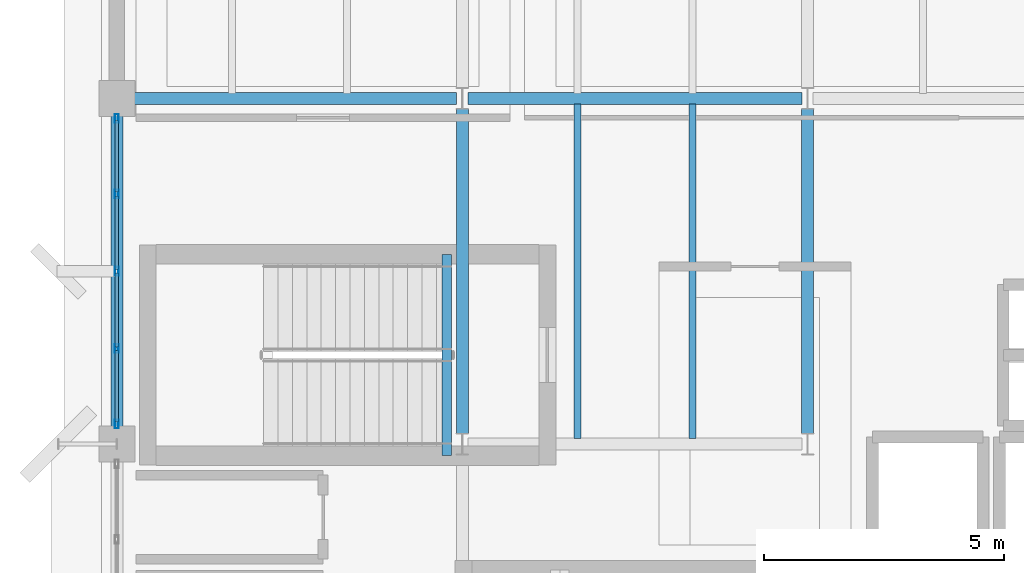
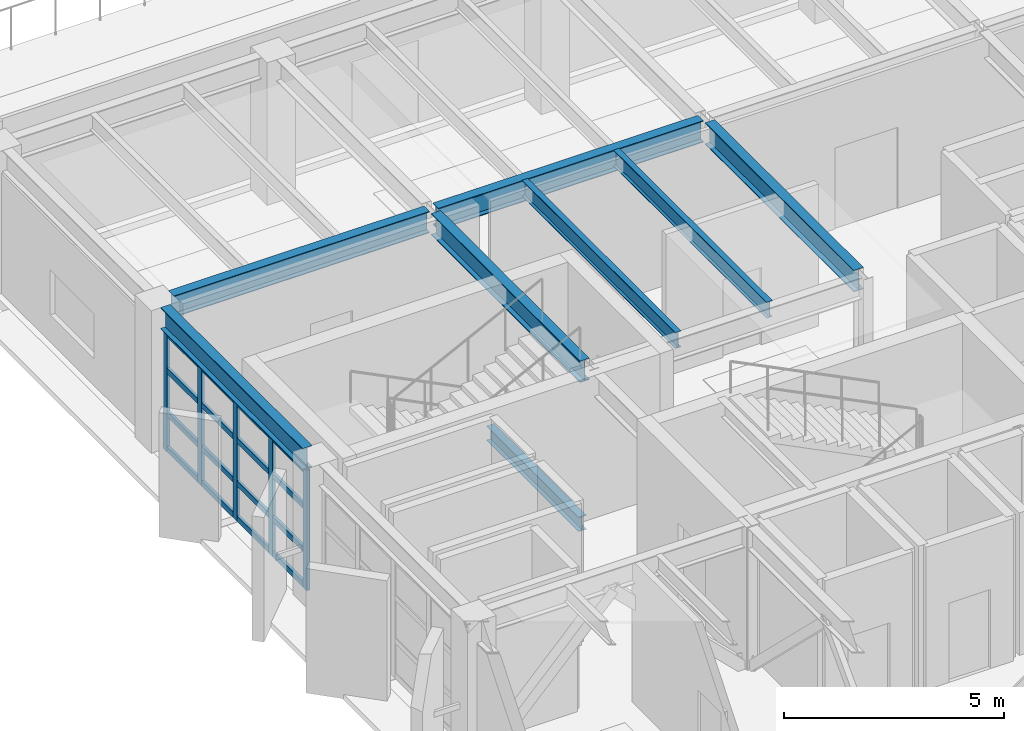
# One storey, part 10 of 37: 21 members, 8 beams, 1 element without a shape of its own.
"""IFC4 building model written with IfcOpenShell, lengths in metres."""

from ifc_helpers import new_model, si_unit, direction, frame, origin, origin_2d, place, context, subcontext, project, spatial, hollow_rectangle, i_section, extrude, material, layer, layer_set, material_profile, profile_set, type_object, element, aggregate, save


model = new_model("IFC4")

# Units and contexts
model_context = context("Model", 3, precision=1e-05, world=origin(), true_north=direction((0.0, 1.0)))
body_context = subcontext(model_context, "Body", "Model", "MODEL_VIEW")
ifc_project = project(units=[si_unit("LENGTHUNIT", "METRE"), si_unit("AREAUNIT", "SQUARE_METRE"), si_unit("VOLUMEUNIT", "CUBIC_METRE"), si_unit("PLANEANGLEUNIT", "RADIAN"), si_unit("MASSUNIT", "GRAM", prefix="KILO")], contexts=[model_context])

# Site, building, storey
site_placement = place(None, origin())
site = spatial("IfcSite", under=ifc_project, at=site_placement, CompositionType="ELEMENT")
building_placement = place(site_placement, origin())
building = spatial("IfcBuilding", under=site, at=building_placement, Name="Kandorven Conservatory and Botanical Research Centre", CompositionType="ELEMENT")
storey_placement = place(building_placement, frame((0.0, 0.0, 9.0)))
storey = spatial("IfcBuildingStorey", under=building, at=storey_placement, Name="L02", CompositionType="ELEMENT", Elevation=9.0)

# Beams
ifc_material_1 = material(Name="Steel S355 (IS 2062 E350)", Category="steel")
ifc_material_profile_1 = material_profile(ifc_material_1, i_section(OverallWidth=0.25, OverallDepth=0.60009765625, WebThickness=0.01171875, FlangeThickness=0.023681640625, at=origin_2d()))
ifc_profile_set_1 = profile_set([ifc_material_profile_1], Name="Steel S355 (IS 2062 E350)")
beam_type_1 = type_object("IfcBeamType", Name="Beam_FG-01", PredefinedType="USERDEFINED", material=ifc_profile_set_1)
beam_1_placement = place(storey_placement, frame((6.364990234375, 27.60009765625, 3.659912109375), z_axis=(1.0, 0.0, 0.0), x_axis=(0.0, 1.0, 0.0)))
element("IfcBeam", 1, at=beam_1_placement, inside=storey, type_object=beam_type_1, Name="Primary girder FG-01 TWR L02", ObjectType="GIRDER", PredefinedType="USERDEFINED", context=body_context, shape_type="SweptSolid", body=[
    extrude(i_section(OverallWidth=0.25, OverallDepth=0.60009765625, WebThickness=0.01171875, FlangeThickness=0.023681640625, at=origin_2d()), origin(), (0.0, 0.0, 1.0), 6.719970703125),
])
beam_2_placement = place(storey_placement, frame((13.31494140625, 27.60009765625, 3.659912109375), z_axis=(1.0, 0.0, 0.0), x_axis=(0.0, 1.0, 0.0)))
element("IfcBeam", 2, at=beam_2_placement, inside=storey, type_object=beam_type_1, Name="Primary girder FG-01 TWR L02", ObjectType="GIRDER", PredefinedType="USERDEFINED", context=body_context, shape_type="SweptSolid", body=[
    extrude(i_section(OverallWidth=0.25, OverallDepth=0.60009765625, WebThickness=0.01171875, FlangeThickness=0.023681640625, at=origin_2d()), origin(), (0.0, 0.0, 1.0), 6.969970703125),
])
beam_3_placement = place(storey_placement, frame((6.0, 20.764892578125, 3.659912109375), z_axis=(0.0, 1.0, 0.0), x_axis=(-1.0, 0.0, 0.0)))
element("IfcBeam", 3, at=beam_3_placement, inside=storey, type_object=beam_type_1, Name="Primary girder FG-01 TWR L02", ObjectType="GIRDER", PredefinedType="USERDEFINED", context=body_context, shape_type="SweptSolid", body=[
    extrude(i_section(OverallWidth=0.25, OverallDepth=0.60009765625, WebThickness=0.01171875, FlangeThickness=0.023681640625, at=origin_2d()), origin(), (0.0, 0.0, 1.0), 6.47021484375),
])
for number, where, z_axis, x_axis, name in (
    (4, (13.199951171875, 20.614990234375, 3.659912109375), (0.0, 1.0, 0.0), (-1.0, 0.0, 0.0), "Primary girder FG-01 TWR L02"),
    (5, (20.39990234375, 20.614990234375, 3.659912109375), (0.0, 1.0, 0.0), (-1.0, 0.0, 0.0), "Primary girder FG-01 TWR L02"),
):
    element("IfcBeam", number, at=place(storey_placement, frame(where, z_axis=z_axis, x_axis=x_axis)), inside=storey, type_object=beam_type_1, Name=name, ObjectType="GIRDER", PredefinedType="USERDEFINED", context=body_context, shape_type="SweptSolid", body=[
        extrude(i_section(OverallWidth=0.25, OverallDepth=0.60009765625, WebThickness=0.01171875, FlangeThickness=0.023681640625, at=origin_2d()), origin(), (0.0, 0.0, 1.0), 6.77001953125),
    ])
ifc_material_2 = material(Name="Steel S355 (IS 2062 E350)", Category="steel")
ifc_material_profile_2 = material_profile(ifc_material_2, i_section(OverallWidth=0.199951171875, OverallDepth=0.39990234375, WebThickness=0.008544921875, FlangeThickness=0.012939453125, at=origin_2d()))
ifc_profile_set_2 = profile_set([ifc_material_profile_2], Name="Steel S355 (IS 2062 E350)")
beam_type_2 = type_object("IfcBeamType", Name="Beam_FG-03", PredefinedType="USERDEFINED", material=ifc_profile_set_2)
beam_4_placement = place(storey_placement, frame((12.8798828125, 24.35009765625, -0.199951171875), z_axis=(0.0, -1.0, 0.0), x_axis=(1.0, 0.0, 0.0)))
element("IfcBeam", 6, at=beam_4_placement, inside=storey, type_object=beam_type_2, Name="Stair well bottom trimmer girder FG-03 ST-T2 L02", ObjectType="GIRDER", PredefinedType="USERDEFINED", context=body_context, shape_type="SweptSolid", body=[
    extrude(i_section(OverallWidth=0.199951171875, OverallDepth=0.39990234375, WebThickness=0.008544921875, FlangeThickness=0.012939453125, at=origin_2d()), origin(), (0.0, 0.0, 1.0), 4.190185546875),
])
ifc_material_3 = material(Name="Steel S355 (IS 2062 E350)", Category="steel")
ifc_material_profile_3 = material_profile(ifc_material_3, i_section(OverallWidth=0.14990234375, OverallDepth=0.449951171875, WebThickness=0.009521484375, FlangeThickness=0.017333984375, at=origin_2d()))
ifc_profile_set_3 = profile_set([ifc_material_profile_3], Name="Steel S355 (IS 2062 E350)")
beam_type_3 = type_object("IfcBeamType", Name="Beam_SB-04", PredefinedType="BEAM", material=ifc_profile_set_3)
for number, where, z_axis, x_axis, name in (
    (7, (15.60009765625, 20.510009765625, 3.735107421875), (0.0, 1.0, 0.0), (-1.0, 0.0, 0.0), "Composite secondary beam SB-04 TWR L02"),
    (8, (18.0, 20.510009765625, 3.735107421875), (0.0, 1.0, 0.0), (-1.0, 0.0, 0.0), "Composite secondary beam SB-04 TWR L02"),
):
    element("IfcBeam", number, at=place(storey_placement, frame(where, z_axis=z_axis, x_axis=x_axis)), inside=storey, type_object=beam_type_3, Name=name, PredefinedType="BEAM", context=body_context, shape_type="SweptSolid", body=[
        extrude(i_section(OverallWidth=0.14990234375, OverallDepth=0.449951171875, WebThickness=0.009521484375, FlangeThickness=0.017333984375, at=origin_2d()), origin(), (0.0, 0.0, 1.0), 6.97998046875),
    ])

# Curtain wall, members
ifc_material_4 = material(Name="Bronze anodised thermally broken aluminium", Category="aluminium")
ifc_layer = layer(ifc_material_4, 0.179931640625)
ifc_layer_set = layer_set([ifc_layer], Name="Bronze anodised thermally broken aluminium")
curtain_wall_type = type_object("IfcCurtainWallType", Name="CW_Unitised", PredefinedType="USERDEFINED", material=ifc_layer_set)
curtain_wall_placement = place(storey_placement, origin())
curtain_wall = element("IfcCurtainWall", 9, at=curtain_wall_placement, inside=storey, type_object=curtain_wall_type, Name="Tower laboratory curtain wall CW-TWR-W-L02-3", ObjectType="UNITISED GLAZING", PredefinedType="USERDEFINED")
ifc_material_5 = material(Name="Bronze anodised thermally broken aluminium", Category="aluminium")
ifc_material_profile_4 = material_profile(ifc_material_5, hollow_rectangle(XDim=0.080078125, YDim=0.179931640625, WallThickness=0.006103515625, at=origin_2d()))
ifc_profile_set_4 = profile_set([ifc_material_profile_4], Name="Bronze anodised thermally broken aluminium")
member_type_1 = type_object("IfcMemberType", Name="CW_Mullion", PredefinedType="MULLION", material=ifc_profile_set_4)
member_1_placement = place(storey_placement, frame((6.0, 20.81494140625, 0.0), z_axis=(0.0, 0.0, 1.0), x_axis=(-1.0, 0.0, 0.0)))
member_1 = element("IfcMember", 10, at=member_1_placement, type_object=member_type_1, Name="CW-01 mullion 1", PredefinedType="MULLION", context=body_context, shape_type="SweptSolid", body=[
    extrude(hollow_rectangle(XDim=0.080078125, YDim=0.179931640625, WallThickness=0.006103515625, at=origin_2d()), origin(), (0.0, 0.0, 1.0), 3.340087890625),
])
member_2_placement = place(storey_placement, frame((6.0, 22.387451171875, 0.0), z_axis=(0.0, 0.0, 1.0), x_axis=(-1.0, 0.0, 0.0)))
member_2 = element("IfcMember", 11, at=member_2_placement, type_object=member_type_1, Name="CW-01 mullion 2", PredefinedType="MULLION", context=body_context, shape_type="SweptSolid", body=[
    extrude(hollow_rectangle(XDim=0.080078125, YDim=0.179931640625, WallThickness=0.006103515625, at=origin_2d()), origin(), (0.0, 0.0, 1.0), 3.340087890625),
])
member_3_placement = place(storey_placement, frame((6.0, 24.0, 0.0), z_axis=(0.0, 0.0, 1.0), x_axis=(-1.0, 0.0, 0.0)))
member_3 = element("IfcMember", 12, at=member_3_placement, type_object=member_type_1, Name="CW-01 mullion 3", PredefinedType="MULLION", context=body_context, shape_type="SweptSolid", body=[
    extrude(hollow_rectangle(XDim=0.080078125, YDim=0.179931640625, WallThickness=0.006103515625, at=origin_2d()), origin(), (0.0, 0.0, 1.0), 3.340087890625),
])
member_4_placement = place(storey_placement, frame((6.0, 25.612548828125, 0.0), z_axis=(0.0, 0.0, 1.0), x_axis=(-1.0, 0.0, 0.0)))
member_4 = element("IfcMember", 13, at=member_4_placement, type_object=member_type_1, Name="CW-01 mullion 4", PredefinedType="MULLION", context=body_context, shape_type="SweptSolid", body=[
    extrude(hollow_rectangle(XDim=0.080078125, YDim=0.179931640625, WallThickness=0.006103515625, at=origin_2d()), origin(), (0.0, 0.0, 1.0), 3.340087890625),
])
member_5_placement = place(storey_placement, frame((6.0, 27.18505859375, 0.0), z_axis=(0.0, 0.0, 1.0), x_axis=(-1.0, 0.0, 0.0)))
member_5 = element("IfcMember", 14, at=member_5_placement, type_object=member_type_1, Name="CW-01 mullion 5", PredefinedType="MULLION", context=body_context, shape_type="SweptSolid", body=[
    extrude(hollow_rectangle(XDim=0.080078125, YDim=0.179931640625, WallThickness=0.006103515625, at=origin_2d()), origin(), (0.0, 0.0, 1.0), 3.340087890625),
])
ifc_material_6 = material(Name="Bronze anodised thermally broken aluminium", Category="aluminium")
ifc_material_profile_5 = material_profile(ifc_material_6, hollow_rectangle(XDim=0.074951171875, YDim=0.14990234375, WallThickness=0.006103515625, at=origin_2d()))
ifc_profile_set_5 = profile_set([ifc_material_profile_5], Name="Bronze anodised thermally broken aluminium")
member_type_2 = type_object("IfcMemberType", Name="CW_Transom", PredefinedType="USERDEFINED", material=ifc_profile_set_5)
member_6_placement = place(storey_placement, frame((6.0, 20.85498046875, 0.074951171875), z_axis=(0.0, 1.0, 0.0), x_axis=(-1.0, 0.0, 0.0)))
member_6 = element("IfcMember", 15, at=member_6_placement, type_object=member_type_2, Name="CW-01 transom 1.1", ObjectType="TRANSOM", PredefinedType="USERDEFINED", context=body_context, shape_type="SweptSolid", body=[
    extrude(hollow_rectangle(XDim=0.074951171875, YDim=0.14990234375, WallThickness=0.006103515625, at=origin_2d()), origin(), (0.0, 0.0, 1.0), 1.492431640625),
])
member_7_placement = place(storey_placement, frame((6.0, 20.85498046875, 1.050048828125), z_axis=(0.0, 1.0, 0.0), x_axis=(-1.0, 0.0, 0.0)))
member_7 = element("IfcMember", 16, at=member_7_placement, type_object=member_type_2, Name="CW-01 transom 1.2", ObjectType="TRANSOM", PredefinedType="USERDEFINED", context=body_context, shape_type="SweptSolid", body=[
    extrude(hollow_rectangle(XDim=0.074951171875, YDim=0.14990234375, WallThickness=0.006103515625, at=origin_2d()), origin(), (0.0, 0.0, 1.0), 1.492431640625),
])
member_8_placement = place(storey_placement, frame((6.0, 20.85498046875, 2.25), z_axis=(0.0, 1.0, 0.0), x_axis=(-1.0, 0.0, 0.0)))
member_8 = element("IfcMember", 17, at=member_8_placement, type_object=member_type_2, Name="CW-01 transom 1.3", ObjectType="TRANSOM", PredefinedType="USERDEFINED", context=body_context, shape_type="SweptSolid", body=[
    extrude(hollow_rectangle(XDim=0.074951171875, YDim=0.14990234375, WallThickness=0.006103515625, at=origin_2d()), origin(), (0.0, 0.0, 1.0), 1.492431640625),
])
member_9_placement = place(storey_placement, frame((6.0, 20.85498046875, 3.264892578125), z_axis=(0.0, 1.0, 0.0), x_axis=(-1.0, 0.0, 0.0)))
member_9 = element("IfcMember", 18, at=member_9_placement, type_object=member_type_2, Name="CW-01 transom 1.4", ObjectType="TRANSOM", PredefinedType="USERDEFINED", context=body_context, shape_type="SweptSolid", body=[
    extrude(hollow_rectangle(XDim=0.074951171875, YDim=0.14990234375, WallThickness=0.006103515625, at=origin_2d()), origin(), (0.0, 0.0, 1.0), 1.492431640625),
])
member_10_placement = place(storey_placement, frame((6.0, 22.427490234375, 0.074951171875), z_axis=(0.0, 1.0, 0.0), x_axis=(-1.0, 0.0, 0.0)))
member_10 = element("IfcMember", 19, at=member_10_placement, type_object=member_type_2, Name="CW-01 transom 2.1", ObjectType="TRANSOM", PredefinedType="USERDEFINED", context=body_context, shape_type="SweptSolid", body=[
    extrude(hollow_rectangle(XDim=0.074951171875, YDim=0.14990234375, WallThickness=0.006103515625, at=origin_2d()), origin(), (0.0, 0.0, 1.0), 1.532470703125),
])
member_11_placement = place(storey_placement, frame((6.0, 22.427490234375, 1.050048828125), z_axis=(0.0, 1.0, 0.0), x_axis=(-1.0, 0.0, 0.0)))
member_11 = element("IfcMember", 20, at=member_11_placement, type_object=member_type_2, Name="CW-01 transom 2.2", ObjectType="TRANSOM", PredefinedType="USERDEFINED", context=body_context, shape_type="SweptSolid", body=[
    extrude(hollow_rectangle(XDim=0.074951171875, YDim=0.14990234375, WallThickness=0.006103515625, at=origin_2d()), origin(), (0.0, 0.0, 1.0), 1.532470703125),
])
member_12_placement = place(storey_placement, frame((6.0, 22.427490234375, 2.25), z_axis=(0.0, 1.0, 0.0), x_axis=(-1.0, 0.0, 0.0)))
member_12 = element("IfcMember", 21, at=member_12_placement, type_object=member_type_2, Name="CW-01 transom 2.3", ObjectType="TRANSOM", PredefinedType="USERDEFINED", context=body_context, shape_type="SweptSolid", body=[
    extrude(hollow_rectangle(XDim=0.074951171875, YDim=0.14990234375, WallThickness=0.006103515625, at=origin_2d()), origin(), (0.0, 0.0, 1.0), 1.532470703125),
])
member_13_placement = place(storey_placement, frame((6.0, 22.427490234375, 3.264892578125), z_axis=(0.0, 1.0, 0.0), x_axis=(-1.0, 0.0, 0.0)))
member_13 = element("IfcMember", 22, at=member_13_placement, type_object=member_type_2, Name="CW-01 transom 2.4", ObjectType="TRANSOM", PredefinedType="USERDEFINED", context=body_context, shape_type="SweptSolid", body=[
    extrude(hollow_rectangle(XDim=0.074951171875, YDim=0.14990234375, WallThickness=0.006103515625, at=origin_2d()), origin(), (0.0, 0.0, 1.0), 1.532470703125),
])
member_14_placement = place(storey_placement, frame((6.0, 24.0400390625, 0.074951171875), z_axis=(0.0, 1.0, 0.0), x_axis=(-1.0, 0.0, 0.0)))
member_14 = element("IfcMember", 23, at=member_14_placement, type_object=member_type_2, Name="CW-01 transom 3.1", ObjectType="TRANSOM", PredefinedType="USERDEFINED", context=body_context, shape_type="SweptSolid", body=[
    extrude(hollow_rectangle(XDim=0.074951171875, YDim=0.14990234375, WallThickness=0.006103515625, at=origin_2d()), origin(), (0.0, 0.0, 1.0), 1.532470703125),
])
member_15_placement = place(storey_placement, frame((6.0, 24.0400390625, 1.050048828125), z_axis=(0.0, 1.0, 0.0), x_axis=(-1.0, 0.0, 0.0)))
member_15 = element("IfcMember", 24, at=member_15_placement, type_object=member_type_2, Name="CW-01 transom 3.2", ObjectType="TRANSOM", PredefinedType="USERDEFINED", context=body_context, shape_type="SweptSolid", body=[
    extrude(hollow_rectangle(XDim=0.074951171875, YDim=0.14990234375, WallThickness=0.006103515625, at=origin_2d()), origin(), (0.0, 0.0, 1.0), 1.532470703125),
])
member_16_placement = place(storey_placement, frame((6.0, 24.0400390625, 2.25), z_axis=(0.0, 1.0, 0.0), x_axis=(-1.0, 0.0, 0.0)))
member_16 = element("IfcMember", 25, at=member_16_placement, type_object=member_type_2, Name="CW-01 transom 3.3", ObjectType="TRANSOM", PredefinedType="USERDEFINED", context=body_context, shape_type="SweptSolid", body=[
    extrude(hollow_rectangle(XDim=0.074951171875, YDim=0.14990234375, WallThickness=0.006103515625, at=origin_2d()), origin(), (0.0, 0.0, 1.0), 1.532470703125),
])
member_17_placement = place(storey_placement, frame((6.0, 24.0400390625, 3.264892578125), z_axis=(0.0, 1.0, 0.0), x_axis=(-1.0, 0.0, 0.0)))
member_17 = element("IfcMember", 26, at=member_17_placement, type_object=member_type_2, Name="CW-01 transom 3.4", ObjectType="TRANSOM", PredefinedType="USERDEFINED", context=body_context, shape_type="SweptSolid", body=[
    extrude(hollow_rectangle(XDim=0.074951171875, YDim=0.14990234375, WallThickness=0.006103515625, at=origin_2d()), origin(), (0.0, 0.0, 1.0), 1.532470703125),
])
member_18_placement = place(storey_placement, frame((6.0, 25.652587890625, 0.074951171875), z_axis=(0.0, 1.0, 0.0), x_axis=(-1.0, 0.0, 0.0)))
member_18 = element("IfcMember", 27, at=member_18_placement, type_object=member_type_2, Name="CW-01 transom 4.1", ObjectType="TRANSOM", PredefinedType="USERDEFINED", context=body_context, shape_type="SweptSolid", body=[
    extrude(hollow_rectangle(XDim=0.074951171875, YDim=0.14990234375, WallThickness=0.006103515625, at=origin_2d()), origin(), (0.0, 0.0, 1.0), 1.492431640625),
])
member_19_placement = place(storey_placement, frame((6.0, 25.652587890625, 1.050048828125), z_axis=(0.0, 1.0, 0.0), x_axis=(-1.0, 0.0, 0.0)))
member_19 = element("IfcMember", 28, at=member_19_placement, type_object=member_type_2, Name="CW-01 transom 4.2", ObjectType="TRANSOM", PredefinedType="USERDEFINED", context=body_context, shape_type="SweptSolid", body=[
    extrude(hollow_rectangle(XDim=0.074951171875, YDim=0.14990234375, WallThickness=0.006103515625, at=origin_2d()), origin(), (0.0, 0.0, 1.0), 1.492431640625),
])
member_20_placement = place(storey_placement, frame((6.0, 25.652587890625, 2.25), z_axis=(0.0, 1.0, 0.0), x_axis=(-1.0, 0.0, 0.0)))
member_20 = element("IfcMember", 29, at=member_20_placement, type_object=member_type_2, Name="CW-01 transom 4.3", ObjectType="TRANSOM", PredefinedType="USERDEFINED", context=body_context, shape_type="SweptSolid", body=[
    extrude(hollow_rectangle(XDim=0.074951171875, YDim=0.14990234375, WallThickness=0.006103515625, at=origin_2d()), origin(), (0.0, 0.0, 1.0), 1.492431640625),
])
member_21_placement = place(storey_placement, frame((6.0, 25.652587890625, 3.264892578125), z_axis=(0.0, 1.0, 0.0), x_axis=(-1.0, 0.0, 0.0)))
member_21 = element("IfcMember", 30, at=member_21_placement, type_object=member_type_2, Name="CW-01 transom 4.4", ObjectType="TRANSOM", PredefinedType="USERDEFINED", context=body_context, shape_type="SweptSolid", body=[
    extrude(hollow_rectangle(XDim=0.074951171875, YDim=0.14990234375, WallThickness=0.006103515625, at=origin_2d()), origin(), (0.0, 0.0, 1.0), 1.492431640625),
])
aggregate(curtain_wall, [member_1, member_2, member_3, member_4, member_5, member_6, member_7, member_8, member_9, member_10, member_11, member_12, member_13, member_14, member_15, member_16, member_17, member_18, member_19, member_20, member_21])

save(model, "model.ifc")
